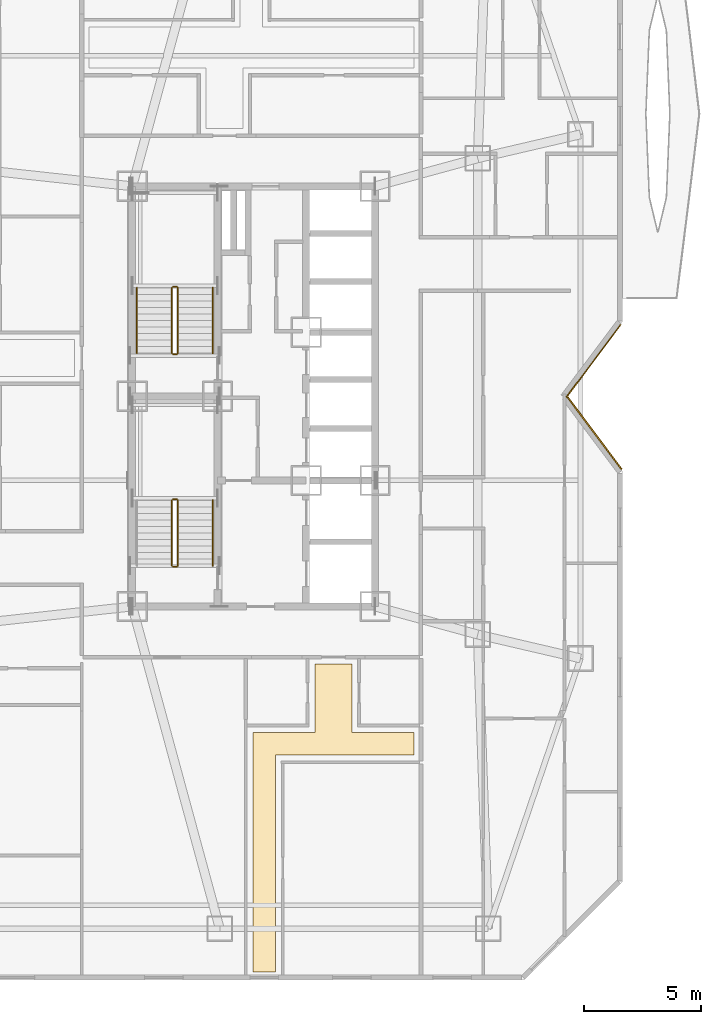
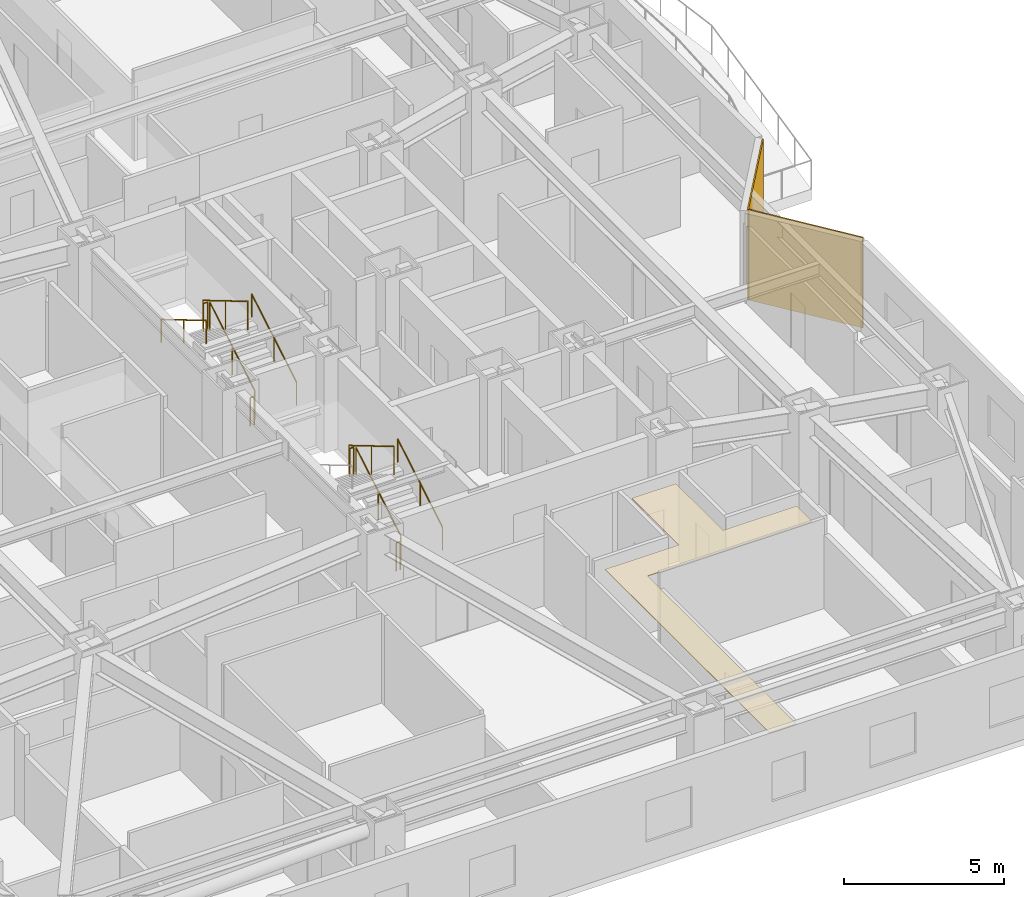
# One storey, part 16 of 17: 11 railings, 3 coverings.
"""IFC4 building model written with IfcOpenShell, lengths in metres."""

from ifc_helpers import new_model, si_unit, direction, frame, origin, origin_2d, place, context, subcontext, project, spatial, polyline, rectangle, circle, outline, extrude, material, layer, layer_set, type_object, element, save


model = new_model("IFC4")

# Units and contexts
model_context = context("Model", 3, precision=1e-05, world=origin(), true_north=direction((0.0, 1.0)))
body_context = subcontext(model_context, "Body", "Model", "MODEL_VIEW")
ifc_project = project(units=[si_unit("LENGTHUNIT", "METRE"), si_unit("AREAUNIT", "SQUARE_METRE"), si_unit("VOLUMEUNIT", "CUBIC_METRE"), si_unit("PLANEANGLEUNIT", "RADIAN"), si_unit("MASSUNIT", "GRAM", prefix="KILO")], contexts=[model_context])

# Site, building, storey
site_placement = place(None, origin())
site = spatial("IfcSite", under=ifc_project, at=site_placement, CompositionType="ELEMENT")
building_placement = place(site_placement, origin())
building = spatial("IfcBuilding", under=site, at=building_placement, Name="Khamvora Tower", CompositionType="ELEMENT")
storey_placement = place(building_placement, frame((0.0, 0.0, 44.25)))
storey = spatial("IfcBuildingStorey", under=building, at=storey_placement, Name="L10", CompositionType="ELEMENT", Elevation=44.25)

# Coverings
ifc_material_1 = material(Name="Perforated Mineral-Fibre Acoustic Ceiling Tile", Category="gypsum")
ifc_layer_1 = layer(ifc_material_1, 0.02490234375)
ifc_layer_set_1 = layer_set([ifc_layer_1], Name="Perforated Mineral-Fibre Acoustic Ceiling Tile")
covering_type_1 = type_object("IfcCoveringType", Name="COV-CEIL-600", PredefinedType="CEILING", material=ifc_layer_set_1)
covering_1_placement = place(storey_placement, frame((0.0, 0.0, 3.14990234375)))
element("IfcCovering", 1, at=covering_1_placement, inside=storey, type_object=covering_type_1, Name="L10 Apartment 10SA Living and Dining Room acoustic ceiling panel", PredefinedType="CEILING", context=body_context, shape_type="SweptSolid", body=[
    extrude(outline(polyline([(35.139892578125, 12.631103515625), (35.139892578125, 3.35009765625), (34.169921875, 3.35009765625), (34.169921875, 13.60107421875), (36.820068359375, 13.60107421875), (36.820068359375, 16.530029296875), (38.409912109375, 16.530029296875), (38.409912109375, 13.60107421875), (41.06005859375, 13.60107421875), (41.06005859375, 12.631103515625), (35.139892578125, 12.631103515625)])), origin(), (0.0, 0.0, 1.0), 0.025146484375),
])
ifc_material_2 = material(Name="Pale Anodised Aluminium Rainscreen Panel", Category="aluminium")
ifc_layer_2 = layer(ifc_material_2, 0.044921875)
ifc_layer_set_2 = layer_set([ifc_layer_2], Name="Pale Anodised Aluminium Rainscreen Panel")
covering_type_2 = type_object("IfcCoveringType", Name="COV-CLD-ALU", PredefinedType="CLADDING", material=ifc_layer_set_2)
covering_2_placement = place(storey_placement, frame((48.760986328125, 29.51904296875, 0.0), z_axis=(0.0, 0.0, 1.0), x_axis=(-0.600120318085, -0.799909747298, 0.0)))
element("IfcCovering", 2, at=covering_2_placement, inside=storey, type_object=covering_type_2, Name="L10 chamfer rainscreen cladding 10.1", PredefinedType="CLADDING", context=body_context, shape_type="SweptSolid", body=[
    extrude(rectangle(XDim=3.888916015625, YDim=0.044921875, at=origin_2d()), origin(), (0.0, 0.0, 1.0), 3.429931640625),
])
ifc_material_3 = material(Name="Anodised Bronze Aluminium Spandrel Panel", Category="aluminium")
ifc_layer_3 = layer(ifc_material_3, 0.054931640625)
ifc_layer_set_3 = layer_set([ifc_layer_3], Name="Anodised Bronze Aluminium Spandrel Panel")
covering_type_3 = type_object("IfcCoveringType", Name="COV-CLD-BRZ", PredefinedType="CLADDING", material=ifc_layer_set_3)
covering_3_placement = place(storey_placement, frame((48.806884765625, 26.419921875, 0.0), z_axis=(0.0, 0.0, 1.0), x_axis=(0.600161988406, -0.799878483066, 0.0)))
element("IfcCovering", 3, at=covering_3_placement, inside=storey, type_object=covering_type_3, Name="L10 chamfer rainscreen cladding 11.1", PredefinedType="CLADDING", context=body_context, shape_type="SweptSolid", body=[
    extrude(rectangle(XDim=3.85107421875, YDim=0.054931640625, at=origin_2d()), origin(), (0.0, 0.0, 1.0), 3.429931640625),
])

# Railings
ifc_material_4 = material(Name="Brushed Stainless Steel 316", Category="steel")
railing_type_1 = type_object("IfcRailingType", Name="RAL-HDR-920", PredefinedType="HANDRAIL", material=ifc_material_4)
railing_1_placement = place(storey_placement, frame((32.449951171875, 20.75, 0.166015625)))
element("IfcRailing", 4, at=railing_1_placement, inside=storey, type_object=railing_type_1, Name="L10 ST-01 stair handrail 1", PredefinedType="HANDRAIL", context=body_context, shape_type="SweptSolid", body=[
    extrude(circle(Radius=0.02392578125, at=origin_2d()), frame((0.0, 0.0, 0.8759765625), z_axis=(0.0, 0.860339051648, 0.50972219513), x_axis=(-1.0, 0.0, 0.0)), (0.0, 0.0, 1.0), 3.254638671875),
    extrude(circle(Radius=0.02099609375, at=origin_2d()), origin(), (0.0, 0.0, 1.0), 0.851806640625),
    extrude(circle(Radius=0.02099609375, at=origin_2d()), frame((0.0, 1.39990234375, 0.82958984375)), (0.0, 0.0, 1.0), 0.851806640625),
    extrude(circle(Radius=0.02099609375, at=origin_2d()), frame((0.0, 2.800048828125, 1.658935546875)), (0.0, 0.0, 1.0), 0.851806640625),
])
railing_2_placement = place(storey_placement, frame((32.449951171875, 29.85009765625, 0.166015625)))
element("IfcRailing", 5, at=railing_2_placement, inside=storey, type_object=railing_type_1, Name="L10 ST-02 stair handrail 1", PredefinedType="HANDRAIL", context=body_context, shape_type="SweptSolid", body=[
    extrude(circle(Radius=0.02392578125, at=origin_2d()), frame((0.0, 0.0, 0.8759765625), z_axis=(0.0, 0.860319559791, 0.509755093197), x_axis=(-1.0, 0.0, 0.0)), (0.0, 0.0, 1.0), 3.25439453125),
    extrude(circle(Radius=0.02099609375, at=origin_2d()), origin(), (0.0, 0.0, 1.0), 0.851806640625),
    extrude(circle(Radius=0.02099609375, at=origin_2d()), frame((0.0, 1.39990234375, 0.82958984375)), (0.0, 0.0, 1.0), 0.851806640625),
    extrude(circle(Radius=0.02099609375, at=origin_2d()), frame((0.0, 2.7998046875, 1.658935546875)), (0.0, 0.0, 1.0), 0.851806640625),
])
railing_3_placement = place(storey_placement, frame((29.199951171875, 32.64990234375, 1.990966796875)))
element("IfcRailing", 6, at=railing_3_placement, inside=storey, type_object=railing_type_1, Name="L10 ST-02 stair handrail 2", PredefinedType="HANDRAIL", context=body_context, shape_type="SweptSolid", body=[
    extrude(circle(Radius=0.02392578125, at=origin_2d()), frame((0.0, 0.0, 0.8759765625), z_axis=(0.0, -0.860319559791, 0.509755093197), x_axis=(1.0, 0.0, 0.0)), (0.0, 0.0, 1.0), 3.25439453125),
    extrude(circle(Radius=0.02099609375, at=origin_2d()), origin(), (0.0, 0.0, 1.0), 0.851806640625),
    extrude(circle(Radius=0.02099609375, at=origin_2d()), frame((0.0, -1.39990234375, 0.82958984375)), (0.0, 0.0, 1.0), 0.851806640625),
    extrude(circle(Radius=0.02099609375, at=origin_2d()), frame((0.0, -2.7998046875, 1.658935546875)), (0.0, 0.0, 1.0), 0.851806640625),
])
ifc_material_5 = material(Name="Stainless Steel 316", Category="steel")
railing_type_2 = type_object("IfcRailingType", Name="RAL-STG-1100", PredefinedType="GUARDRAIL", material=ifc_material_5)
railing_4_placement = place(storey_placement, frame((30.949951171875, 20.75, 0.166015625)))
element("IfcRailing", 7, at=railing_4_placement, inside=storey, type_object=railing_type_2, Name="L10 ST-01 stair guard 1", PredefinedType="GUARDRAIL", context=body_context, shape_type="SweptSolid", body=[
    extrude(circle(Radius=0.02392578125, at=origin_2d()), frame((0.0, 0.0, 1.076171875), z_axis=(0.0, 0.860339051648, 0.50972219513), x_axis=(-1.0, 0.0, 0.0)), (0.0, 0.0, 1.0), 3.254638671875),
    extrude(circle(Radius=0.02099609375, at=origin_2d()), origin(), (0.0, 0.0, 1.0), 1.052001953125),
    extrude(circle(Radius=0.02099609375, at=origin_2d()), frame((0.0, 1.39990234375, 0.82958984375)), (0.0, 0.0, 1.0), 1.052001953125),
    extrude(circle(Radius=0.02099609375, at=origin_2d()), frame((0.0, 2.800048828125, 1.658935546875)), (0.0, 0.0, 1.0), 1.052001953125),
])
railing_5_placement = place(storey_placement, frame((30.89990234375, 23.60009765625, 1.824951171875)))
element("IfcRailing", 8, at=railing_5_placement, inside=storey, type_object=railing_type_2, Name="L10 ST-01 stair guard 2", PredefinedType="GUARDRAIL", context=body_context, shape_type="SweptSolid", body=[
    extrude(circle(Radius=0.02392578125, at=origin_2d()), frame((0.0, 0.0, 1.076171875), z_axis=(-1.0, 0.0, 0.0), x_axis=(0.0, -1.0, 0.0)), (0.0, 0.0, 1.0), 0.14990234375),
    extrude(circle(Radius=0.02099609375, at=origin_2d()), origin(), (0.0, 0.0, 1.0), 1.052001953125),
    extrude(circle(Radius=0.02099609375, at=origin_2d()), frame((-0.14990234375, 0.0, 0.0)), (0.0, 0.0, 1.0), 1.052001953125),
])
railing_6_placement = place(storey_placement, frame((30.699951171875, 23.550048828125, 1.990966796875)))
element("IfcRailing", 9, at=railing_6_placement, inside=storey, type_object=railing_type_2, Name="L10 ST-01 stair guard 3", PredefinedType="GUARDRAIL", context=body_context, shape_type="SweptSolid", body=[
    extrude(circle(Radius=0.02392578125, at=origin_2d()), frame((0.0, 0.0, 1.076171875), z_axis=(0.0, -0.860339051648, 0.50972219513), x_axis=(1.0, 0.0, 0.0)), (0.0, 0.0, 1.0), 3.254638671875),
    extrude(circle(Radius=0.02099609375, at=origin_2d()), origin(), (0.0, 0.0, 1.0), 1.052001953125),
    extrude(circle(Radius=0.02099609375, at=origin_2d()), frame((0.0, -1.39990234375, 0.82958984375)), (0.0, 0.0, 1.0), 1.052001953125),
    extrude(circle(Radius=0.02099609375, at=origin_2d()), frame((0.0, -2.800048828125, 1.658935546875)), (0.0, 0.0, 1.0), 1.052001953125),
])
railing_7_placement = place(storey_placement, frame((30.89990234375, 20.699951171875, 0.0)))
element("IfcRailing", 10, at=railing_7_placement, inside=storey, type_object=railing_type_2, Name="L10 ST-01 stair guard 4", PredefinedType="GUARDRAIL", context=body_context, shape_type="SweptSolid", body=[
    extrude(circle(Radius=0.02392578125, at=origin_2d()), frame((0.0, 0.0, 1.076171875), z_axis=(-1.0, 0.0, 0.0), x_axis=(0.0, -1.0, 0.0)), (0.0, 0.0, 1.0), 0.14990234375),
    extrude(circle(Radius=0.02099609375, at=origin_2d()), origin(), (0.0, 0.0, 1.0), 1.052001953125),
    extrude(circle(Radius=0.02099609375, at=origin_2d()), frame((-0.14990234375, 0.0, 0.0)), (0.0, 0.0, 1.0), 1.052001953125),
])
railing_8_placement = place(storey_placement, frame((30.949951171875, 29.85009765625, 0.166015625)))
element("IfcRailing", 11, at=railing_8_placement, inside=storey, type_object=railing_type_2, Name="L10 ST-02 stair guard 1", PredefinedType="GUARDRAIL", context=body_context, shape_type="SweptSolid", body=[
    extrude(circle(Radius=0.02392578125, at=origin_2d()), frame((0.0, 0.0, 1.076171875), z_axis=(0.0, 0.860319559791, 0.509755093197), x_axis=(-1.0, 0.0, 0.0)), (0.0, 0.0, 1.0), 3.25439453125),
    extrude(circle(Radius=0.02099609375, at=origin_2d()), origin(), (0.0, 0.0, 1.0), 1.052001953125),
    extrude(circle(Radius=0.02099609375, at=origin_2d()), frame((0.0, 1.39990234375, 0.82958984375)), (0.0, 0.0, 1.0), 1.052001953125),
    extrude(circle(Radius=0.02099609375, at=origin_2d()), frame((0.0, 2.7998046875, 1.658935546875)), (0.0, 0.0, 1.0), 1.052001953125),
])
railing_9_placement = place(storey_placement, frame((30.89990234375, 32.699951171875, 1.824951171875)))
element("IfcRailing", 12, at=railing_9_placement, inside=storey, type_object=railing_type_2, Name="L10 ST-02 stair guard 2", PredefinedType="GUARDRAIL", context=body_context, shape_type="SweptSolid", body=[
    extrude(circle(Radius=0.02392578125, at=origin_2d()), frame((0.0, 0.0, 1.076171875), z_axis=(-1.0, 0.0, 0.0), x_axis=(0.0, -1.0, 0.0)), (0.0, 0.0, 1.0), 0.14990234375),
    extrude(circle(Radius=0.02099609375, at=origin_2d()), origin(), (0.0, 0.0, 1.0), 1.052001953125),
    extrude(circle(Radius=0.02099609375, at=origin_2d()), frame((-0.14990234375, 0.0, 0.0)), (0.0, 0.0, 1.0), 1.052001953125),
])
railing_10_placement = place(storey_placement, frame((30.699951171875, 32.64990234375, 1.990966796875)))
element("IfcRailing", 13, at=railing_10_placement, inside=storey, type_object=railing_type_2, Name="L10 ST-02 stair guard 3", PredefinedType="GUARDRAIL", context=body_context, shape_type="SweptSolid", body=[
    extrude(circle(Radius=0.02392578125, at=origin_2d()), frame((0.0, 0.0, 1.076171875), z_axis=(0.0, -0.860319559791, 0.509755093197), x_axis=(1.0, 0.0, 0.0)), (0.0, 0.0, 1.0), 3.25439453125),
    extrude(circle(Radius=0.02099609375, at=origin_2d()), origin(), (0.0, 0.0, 1.0), 1.052001953125),
    extrude(circle(Radius=0.02099609375, at=origin_2d()), frame((0.0, -1.39990234375, 0.82958984375)), (0.0, 0.0, 1.0), 1.052001953125),
    extrude(circle(Radius=0.02099609375, at=origin_2d()), frame((0.0, -2.7998046875, 1.658935546875)), (0.0, 0.0, 1.0), 1.052001953125),
])
railing_11_placement = place(storey_placement, frame((30.89990234375, 29.800048828125, 0.0)))
element("IfcRailing", 14, at=railing_11_placement, inside=storey, type_object=railing_type_2, Name="L10 ST-02 stair guard 4", PredefinedType="GUARDRAIL", context=body_context, shape_type="SweptSolid", body=[
    extrude(circle(Radius=0.02392578125, at=origin_2d()), frame((0.0, 0.0, 1.076171875), z_axis=(-1.0, 0.0, 0.0), x_axis=(0.0, -1.0, 0.0)), (0.0, 0.0, 1.0), 0.14990234375),
    extrude(circle(Radius=0.02099609375, at=origin_2d()), origin(), (0.0, 0.0, 1.0), 1.052001953125),
    extrude(circle(Radius=0.02099609375, at=origin_2d()), frame((-0.14990234375, 0.0, 0.0)), (0.0, 0.0, 1.0), 1.052001953125),
])

save(model, "model.ifc")
